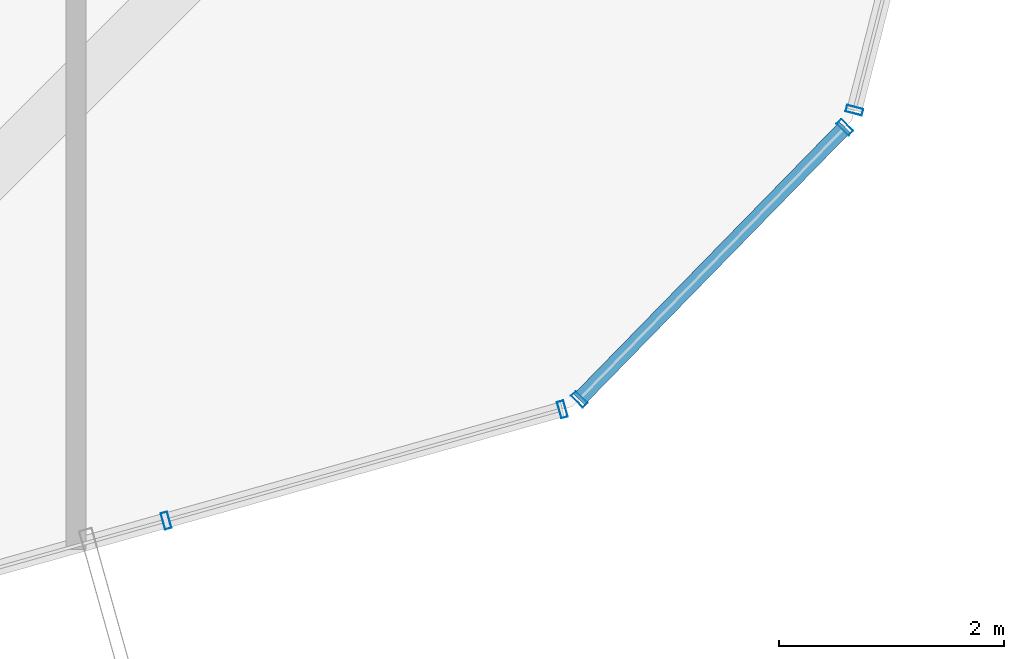
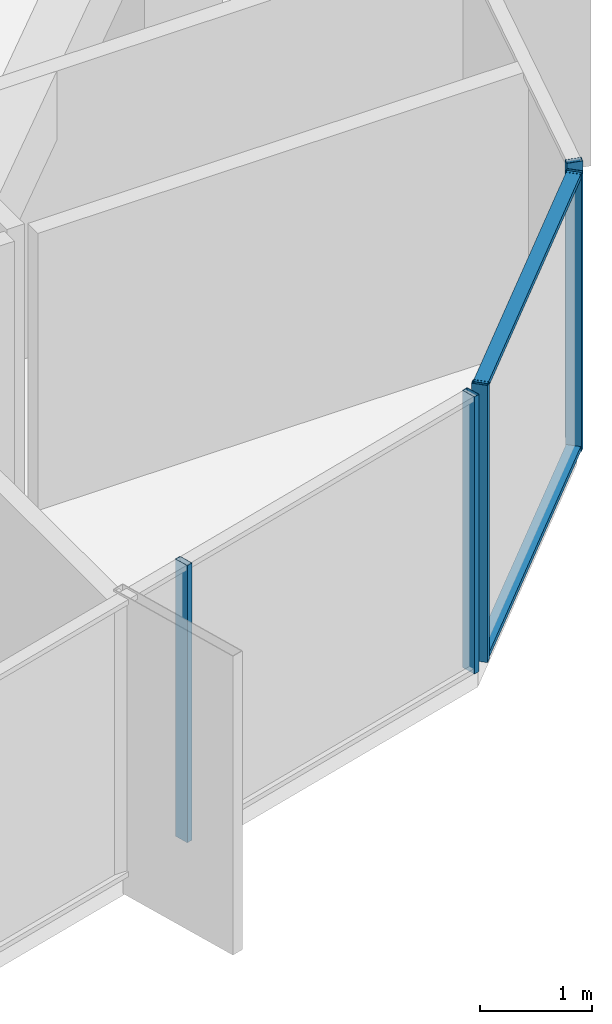
# One storey, part 10 of 29: 7 members, 3 elements without a shape of their own.
"""IFC4 building model written with IfcOpenShell, lengths in metres."""

from ifc_helpers import new_model, si_unit, direction, frame, origin, origin_2d, place, context, subcontext, project, spatial, hollow_rectangle, extrude, source, transform, mapped, material, layer, layer_set, material_profile, profile_set, type_object, element, aggregate, save


model = new_model("IFC4")

# Units and contexts
model_context = context("Model", 3, precision=1e-05, world=origin(), true_north=direction((0.0, 1.0)))
body_context = subcontext(model_context, "Body", "Model", "MODEL_VIEW")
ifc_project = project(units=[si_unit("LENGTHUNIT", "METRE"), si_unit("AREAUNIT", "SQUARE_METRE"), si_unit("VOLUMEUNIT", "CUBIC_METRE"), si_unit("PLANEANGLEUNIT", "RADIAN"), si_unit("MASSUNIT", "GRAM", prefix="KILO")], contexts=[model_context])

# Site, building, storey
site_placement = place(None, origin())
site = spatial("IfcSite", under=ifc_project, at=site_placement, CompositionType="ELEMENT")
building_placement = place(site_placement, origin())
building = spatial("IfcBuilding", under=site, at=building_placement, Name="Veraguas Prism Commons", CompositionType="ELEMENT")
storey_placement = place(building_placement, frame((0.0, 0.0, 257.75)))
storey = spatial("IfcBuildingStorey", under=building, at=storey_placement, Name="L73", CompositionType="ELEMENT", Elevation=257.75)

# Curtain wall, members
ifc_material = material(Name="Anodised aluminium EN AW-6063 T6", Category="aluminium")
ifc_layer = layer(ifc_material, 0.14990234375, Name="Unitised Flush Curtain Wall Zone 4", Category="aluminium")
ifc_layer_set = layer_set([ifc_layer], Name="Anodised aluminium EN AW-6063 T6")
curtain_wall_type = type_object("IfcCurtainWallType", Name="Unitised Flush Curtain Wall Zone 4", PredefinedType="NOTDEFINED", material=ifc_layer_set)
curtain_wall_1_placement = place(storey_placement, origin())
curtain_wall_1 = element("IfcCurtainWall", 1, at=curtain_wall_1_placement, inside=storey, type_object=curtain_wall_type, Name="Tower Facade Curtain Wall L73-F5", PredefinedType="NOTDEFINED")
ifc_material_profile_1 = material_profile(ifc_material, hollow_rectangle(XDim=0.06005859375, YDim=0.14990234375, WallThickness=0.0029296875, at=origin_2d()), Name="AL60X150X3")
ifc_profile_set_1 = profile_set([ifc_material_profile_1], Name="Anodised aluminium EN AW-6063 T6")
member_type_1 = type_object("IfcMemberType", Name="Curtain Wall Mullion Upper AL 60x150x3", PredefinedType="MULLION", material=ifc_profile_set_1)
shared_shape_1 = source(origin(), body_context, "Body", "SweptSolid", [
    extrude(hollow_rectangle(XDim=0.06005859375, YDim=0.14990234375, WallThickness=0.0029296875, at=origin_2d()), origin(), (0.0, 0.0, 1.0), 3.014892578125),
])
member_1_placement = place(storey_placement, frame((32.001220703125, 9.155517578125, 0.0), z_axis=(0.0, 0.0, 1.0), x_axis=(0.962784730035, 0.270269427816, 0.0)))
member_1 = element("IfcMember", 2, at=member_1_placement, type_object=member_type_1, Name="CW-Z4 Mullion 4", PredefinedType="MULLION", context=body_context, shape_type="MappedRepresentation", body=[
    mapped(shared_shape_1, transform((0.0, 0.0, 0.0), scale=1.0)),
])
member_2_placement = place(storey_placement, frame((35.526611328125, 10.145263671875, 0.0), z_axis=(0.0, 0.0, 1.0), x_axis=(0.962784730035, 0.270269427816, 0.0)))
member_2 = element("IfcMember", 3, at=member_2_placement, type_object=member_type_1, Name="CW-Z4 Mullion 5", PredefinedType="MULLION", context=body_context, shape_type="MappedRepresentation", body=[
    mapped(shared_shape_1, transform((0.0, 0.0, 0.0), scale=1.0)),
])
aggregate(curtain_wall_1, [member_1, member_2])

# Curtain wall, member
curtain_wall_2_placement = place(storey_placement, origin())
curtain_wall_2 = element("IfcCurtainWall", 4, at=curtain_wall_2_placement, inside=storey, type_object=curtain_wall_type, Name="Tower Facade Curtain Wall L73-F6", PredefinedType="NOTDEFINED")
member_3_placement = place(storey_placement, frame((38.12451171875, 12.805419921875, 0.0), z_axis=(0.0, 0.0, 1.0), x_axis=(0.247338939069, 0.968929021766, 0.0)))
member_3 = element("IfcMember", 5, at=member_3_placement, type_object=member_type_1, Name="CW-Z4 Mullion 1", PredefinedType="MULLION", context=body_context, shape_type="MappedRepresentation", body=[
    mapped(shared_shape_1, transform((0.0, 0.0, 0.0), scale=1.0)),
])
aggregate(curtain_wall_2, [member_3])

# Curtain wall, members
curtain_wall_3_placement = place(storey_placement, origin())
curtain_wall_3 = element("IfcCurtainWall", 6, at=curtain_wall_3_placement, inside=storey, type_object=curtain_wall_type, Name="Chamfer Curtain Wall L73-C6", PredefinedType="NOTDEFINED")
member_4_placement = place(storey_placement, frame((35.67626953125, 10.23388671875, 0.0), z_axis=(0.0, 0.0, 1.0), x_axis=(0.698662569377, 0.715451335977, 0.0)))
member_4 = element("IfcMember", 7, at=member_4_placement, type_object=member_type_1, Name="CW-Z4 Mullion 1", PredefinedType="MULLION", context=body_context, shape_type="MappedRepresentation", body=[
    mapped(shared_shape_1, transform((0.0, 0.0, 0.0), scale=1.0)),
])
member_5_placement = place(storey_placement, frame((38.03955078125, 12.654052734375, 0.0), z_axis=(0.0, 0.0, 1.0), x_axis=(0.698662569377, 0.715451335977, 0.0)))
member_5 = element("IfcMember", 8, at=member_5_placement, type_object=member_type_1, Name="CW-Z4 Mullion 2", PredefinedType="MULLION", context=body_context, shape_type="MappedRepresentation", body=[
    mapped(shared_shape_1, transform((0.0, 0.0, 0.0), scale=1.0)),
])
ifc_material_profile_2 = material_profile(ifc_material, hollow_rectangle(XDim=0.054931640625, YDim=0.135009765625, WallThickness=0.0029296875, at=origin_2d()), Name="AL55X135X3")
ifc_profile_set_2 = profile_set([ifc_material_profile_2], Name="Anodised aluminium EN AW-6063 T6")
member_type_2 = type_object("IfcMemberType", Name="Curtain Wall Transom Standard AL 55x135x3", PredefinedType="USERDEFINED", material=ifc_profile_set_2)
shared_shape_2 = source(origin(), body_context, "Body", "SweptSolid", [
    extrude(hollow_rectangle(XDim=0.054931640625, YDim=0.135009765625, WallThickness=0.0029296875, at=origin_2d()), origin(), (0.0, 0.0, 1.0), 3.382568359375),
])
member_6_placement = place(storey_placement, frame((35.67626953125, 10.23388671875, 0.027587890625), z_axis=(0.698648466169, 0.715465107968, 0.0), x_axis=(0.0, 0.0, 1.0)))
member_6 = element("IfcMember", 9, at=member_6_placement, type_object=member_type_2, Name="CW-Z4 Transom 1", ObjectType="TRANSOM", PredefinedType="USERDEFINED", context=body_context, shape_type="MappedRepresentation", body=[
    mapped(shared_shape_2, transform((0.0, 0.0, 0.0), scale=1.0)),
])
member_7_placement = place(storey_placement, frame((35.67626953125, 10.23388671875, 2.987548828125), z_axis=(0.698648466169, 0.715465107968, 0.0), x_axis=(0.0, 0.0, 1.0)))
member_7 = element("IfcMember", 10, at=member_7_placement, type_object=member_type_2, Name="CW-Z4 Transom 2", ObjectType="TRANSOM", PredefinedType="USERDEFINED", context=body_context, shape_type="MappedRepresentation", body=[
    mapped(shared_shape_2, transform((0.0, 0.0, 0.0), scale=1.0)),
])
aggregate(curtain_wall_3, [member_4, member_5, member_6, member_7])

save(model, "model.ifc")
